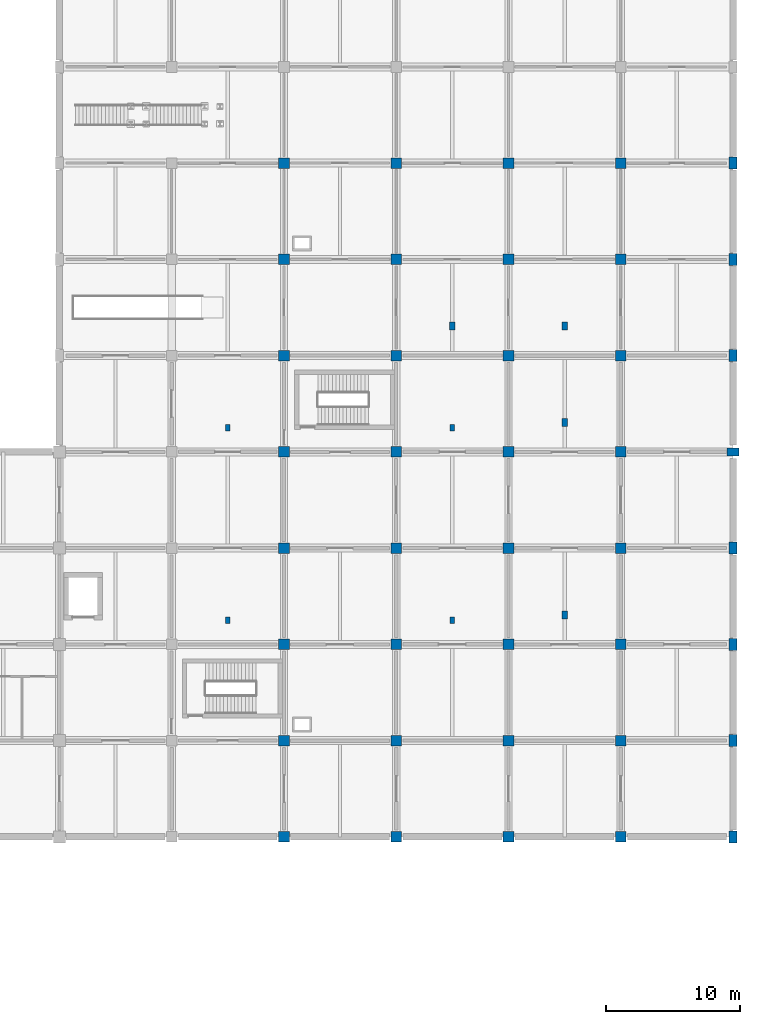
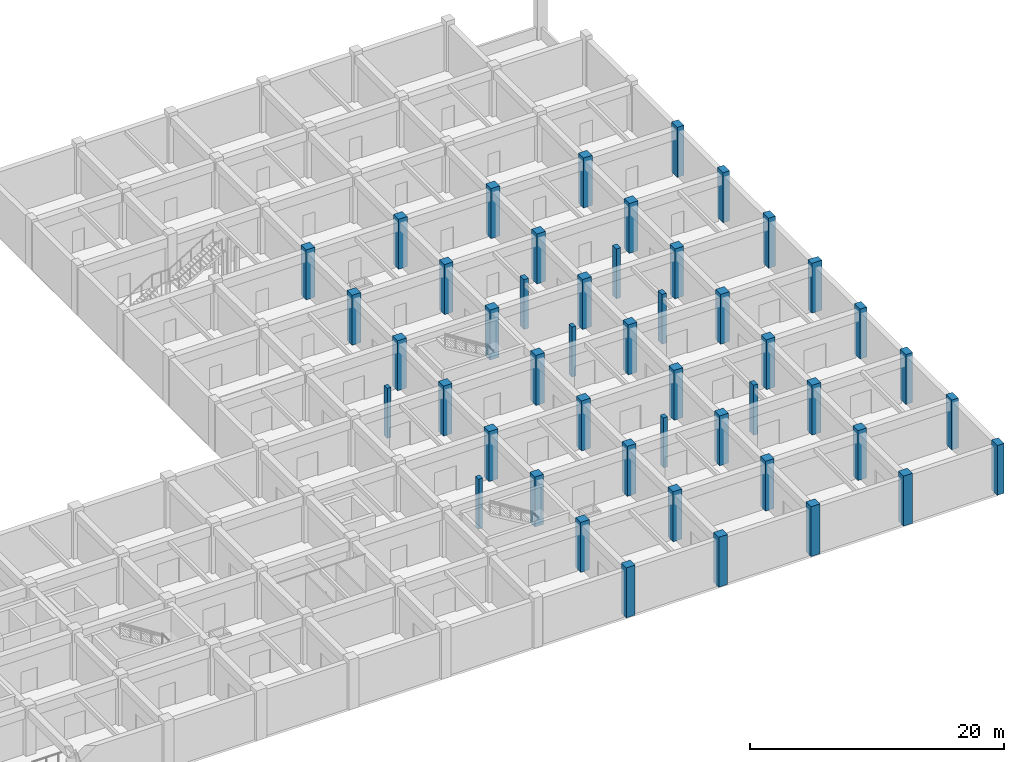
# One storey, part 5 of 32: 48 columns.
"""IFC4 building model written with IfcOpenShell, lengths in metres."""

from ifc_helpers import new_model, si_unit, derived_unit, direction, frame, origin, origin_2d, place, context, subcontext, project, spatial, rectangle, extrude, material, material_profile, profile_set, type_object, element, save


model = new_model("IFC4")

# Units and contexts
model_context = context("Model", 3, precision=1e-05, world=origin(), true_north=direction((0.0, 1.0)))
body_context = subcontext(model_context, "Body", "Model", "MODEL_VIEW")
ifc_project = project(units=[si_unit("LENGTHUNIT", "METRE"), si_unit("AREAUNIT", "SQUARE_METRE"), si_unit("VOLUMEUNIT", "CUBIC_METRE"), si_unit("PLANEANGLEUNIT", "RADIAN"), si_unit("MASSUNIT", "GRAM", prefix="KILO"), derived_unit("THERMALTRANSMITTANCEUNIT", [(si_unit("MASSUNIT", "GRAM", prefix="KILO"), 1), (si_unit("TIMEUNIT", "SECOND"), -3), (si_unit("THERMODYNAMICTEMPERATUREUNIT", "KELVIN"), -1)])], contexts=[model_context])

# Site, building, storey
site_placement = place(None, origin())
site = spatial("IfcSite", under=ifc_project, at=site_placement, CompositionType="ELEMENT")
building_placement = place(site_placement, origin())
building = spatial("IfcBuilding", under=site, at=building_placement, Name="Veldstrom Oceanarium and Marine Research Institute", CompositionType="ELEMENT")
storey_placement = place(building_placement, frame((0.0, 0.0, -4.800048828125)))
storey = spatial("IfcBuildingStorey", under=building, at=storey_placement, Name="B01", CompositionType="ELEMENT", Elevation=-4.800048828125)

# Columns
ifc_material_1 = material(Name="Concrete C50/60", Category="concrete")
ifc_material_profile_1 = material_profile(ifc_material_1, rectangle(XDim=0.800048828125, YDim=0.800048828125, at=origin_2d()), Name="RC-COL-800x800")
ifc_profile_set_1 = profile_set([ifc_material_profile_1], Name="Concrete C50/60")
column_type_1 = type_object("IfcColumnType", Name="STR-COL-C04", PredefinedType="COLUMN", material=ifc_profile_set_1)
for number, where, z_axis, x_axis, name in (
    (1, (134.39990234375, 43.199951171875, 0.0), (0.0, 0.0, 1.0), (1.0, 0.0, 0.0), "Column C04 17/G B01"),
    (2, (134.39990234375, 50.39990234375, 0.0), (0.0, 0.0, 1.0), (1.0, 0.0, 0.0), "Column C04 17/H B01"),
    (3, (134.39990234375, 57.60009765625, 0.0), (0.0, 0.0, 1.0), (1.0, 0.0, 0.0), "Column C04 17/J B01"),
    (4, (134.39990234375, 64.800048828125, 0.0), (0.0, 0.0, 1.0), (1.0, 0.0, 0.0), "Column C04 17/K B01"),
    (5, (134.39990234375, 72.0, 0.0), (0.0, 0.0, 1.0), (1.0, 0.0, 0.0), "Column C04 17/L B01"),
    (6, (134.39990234375, 79.199951171875, 0.0), (0.0, 0.0, 1.0), (1.0, 0.0, 0.0), "Column C04 17/M B01"),
    (7, (134.39990234375, 86.39990234375, 0.0), (0.0, 0.0, 1.0), (1.0, 0.0, 0.0), "Column C04 17/N B01"),
    (8, (134.39990234375, 93.60009765625, 0.0), (0.0, 0.0, 1.0), (1.0, 0.0, 0.0), "Column C04 17/P B01"),
    (9, (142.800048828125, 43.199951171875, 0.0), (0.0, 0.0, 1.0), (1.0, 0.0, 0.0), "Column C04 18/G B01"),
    (10, (142.800048828125, 50.39990234375, 0.0), (0.0, 0.0, 1.0), (1.0, 0.0, 0.0), "Column C04 18/H B01"),
    (11, (142.800048828125, 57.60009765625, 0.0), (0.0, 0.0, 1.0), (1.0, 0.0, 0.0), "Column C04 18/J B01"),
    (12, (142.800048828125, 64.800048828125, 0.0), (0.0, 0.0, 1.0), (1.0, 0.0, 0.0), "Column C04 18/K B01"),
    (13, (142.800048828125, 72.0, 0.0), (0.0, 0.0, 1.0), (1.0, 0.0, 0.0), "Column C04 18/L B01"),
    (14, (142.800048828125, 79.199951171875, 0.0), (0.0, 0.0, 1.0), (1.0, 0.0, 0.0), "Column C04 18/M B01"),
    (15, (142.800048828125, 86.39990234375, 0.0), (0.0, 0.0, 1.0), (1.0, 0.0, 0.0), "Column C04 18/N B01"),
    (16, (142.800048828125, 93.60009765625, 0.0), (0.0, 0.0, 1.0), (1.0, 0.0, 0.0), "Column C04 18/P B01"),
    (17, (151.199951171875, 43.199951171875, 0.0), (0.0, 0.0, 1.0), (1.0, 0.0, 0.0), "Column C04 19/G B01"),
    (18, (151.199951171875, 50.39990234375, 0.0), (0.0, 0.0, 1.0), (1.0, 0.0, 0.0), "Column C04 19/H B01"),
    (19, (151.199951171875, 57.60009765625, 0.0), (0.0, 0.0, 1.0), (1.0, 0.0, 0.0), "Column C04 19/J B01"),
    (20, (151.199951171875, 64.800048828125, 0.0), (0.0, 0.0, 1.0), (1.0, 0.0, 0.0), "Column C04 19/K B01"),
    (21, (151.199951171875, 72.0, 0.0), (0.0, 0.0, 1.0), (1.0, 0.0, 0.0), "Column C04 19/L B01"),
    (22, (151.199951171875, 79.199951171875, 0.0), (0.0, 0.0, 1.0), (1.0, 0.0, 0.0), "Column C04 19/M B01"),
    (23, (151.199951171875, 86.39990234375, 0.0), (0.0, 0.0, 1.0), (1.0, 0.0, 0.0), "Column C04 19/N B01"),
    (24, (151.199951171875, 93.60009765625, 0.0), (0.0, 0.0, 1.0), (1.0, 0.0, 0.0), "Column C04 19/P B01"),
    (25, (159.60009765625, 43.199951171875, 0.0), (0.0, 0.0, 1.0), (1.0, 0.0, 0.0), "Column C04 20/G B01"),
    (26, (159.60009765625, 50.39990234375, 0.0), (0.0, 0.0, 1.0), (1.0, 0.0, 0.0), "Column C04 20/H B01"),
    (27, (159.60009765625, 57.60009765625, 0.0), (0.0, 0.0, 1.0), (1.0, 0.0, 0.0), "Column C04 20/J B01"),
    (28, (159.60009765625, 64.800048828125, 0.0), (0.0, 0.0, 1.0), (1.0, 0.0, 0.0), "Column C04 20/K B01"),
    (29, (159.60009765625, 72.0, 0.0), (0.0, 0.0, 1.0), (1.0, 0.0, 0.0), "Column C04 20/L B01"),
    (30, (159.60009765625, 79.199951171875, 0.0), (0.0, 0.0, 1.0), (1.0, 0.0, 0.0), "Column C04 20/M B01"),
    (31, (159.60009765625, 86.39990234375, 0.0), (0.0, 0.0, 1.0), (1.0, 0.0, 0.0), "Column C04 20/N B01"),
    (32, (159.60009765625, 93.60009765625, 0.0), (0.0, 0.0, 1.0), (1.0, 0.0, 0.0), "Column C04 20/P B01"),
):
    element("IfcColumn", number, at=place(storey_placement, frame(where, z_axis=z_axis, x_axis=x_axis)), inside=storey, type_object=column_type_1, Name=name, PredefinedType="COLUMN", context=body_context, shape_type="SweptSolid", body=[
        extrude(rectangle(XDim=0.800048828125, YDim=0.800048828125, at=origin_2d()), origin(), (0.0, 0.0, 1.0), 4.800048828125),
    ])
ifc_material_2 = material(Name="Concrete C50/60", Category="concrete")
ifc_material_profile_2 = material_profile(ifc_material_2, rectangle(XDim=0.60009765625, YDim=0.89990234375, at=origin_2d()), Name="RC-COL-900x600")
ifc_profile_set_2 = profile_set([ifc_material_profile_2], Name="Concrete C50/60")
column_type_2 = type_object("IfcColumnType", Name="STR-COL-C11", PredefinedType="COLUMN", material=ifc_profile_set_2)
for number, where, z_axis, x_axis, name in (
    (33, (168.0, 43.199951171875, 0.0), (0.0, 0.0, 1.0), (1.0, 0.0, 0.0), "Column C11 21/G B01"),
    (34, (168.0, 50.39990234375, 0.0), (0.0, 0.0, 1.0), (1.0, 0.0, 0.0), "Column C11 21/H B01"),
    (35, (168.0, 57.60009765625, 0.0), (0.0, 0.0, 1.0), (1.0, 0.0, 0.0), "Column C11 21/J B01"),
    (36, (168.0, 64.800048828125, 0.0), (0.0, 0.0, 1.0), (1.0, 0.0, 0.0), "Column C11 21/K B01"),
    (37, (168.0, 72.0, 0.0), (0.0, 0.0, 1.0), (0.0, 1.0, 0.0), "Column C11 21/L B01"),
    (38, (168.0, 79.199951171875, 0.0), (0.0, 0.0, 1.0), (1.0, 0.0, 0.0), "Column C11 21/M B01"),
    (39, (168.0, 86.39990234375, 0.0), (0.0, 0.0, 1.0), (1.0, 0.0, 0.0), "Column C11 21/N B01"),
    (40, (168.0, 93.60009765625, 0.0), (0.0, 0.0, 1.0), (1.0, 0.0, 0.0), "Column C11 21/P B01"),
):
    element("IfcColumn", number, at=place(storey_placement, frame(where, z_axis=z_axis, x_axis=x_axis)), inside=storey, type_object=column_type_2, Name=name, PredefinedType="COLUMN", context=body_context, shape_type="SweptSolid", body=[
        extrude(rectangle(XDim=0.60009765625, YDim=0.89990234375, at=origin_2d()), origin(), (0.0, 0.0, 1.0), 4.800048828125),
    ])
ifc_material_3 = material(Name="Concrete C50/60", Category="concrete")
ifc_material_profile_3 = material_profile(ifc_material_3, rectangle(XDim=0.39990234375, YDim=0.60009765625, at=origin_2d()), Name="RC-PIL-600x400")
ifc_profile_set_3 = profile_set([ifc_material_profile_3], Name="Concrete C50/60")
column_type_3 = type_object("IfcColumnType", Name="STR-PIL-PL1", PredefinedType="PILASTER", material=ifc_profile_set_3)
for number, where, z_axis, x_axis, name in (
    (41, (155.39990234375, 81.39990234375, 0.0), (0.0, 0.0, 1.0), (1.0, 0.0, 0.0), "Colonnade Pilaster 01 B01"),
    (42, (147.0, 81.39990234375, 0.0), (0.0, 0.0, 1.0), (1.0, 0.0, 0.0), "Colonnade Pilaster 02 B01"),
    (43, (155.39990234375, 59.800048828125, 0.0), (0.0, 0.0, 1.0), (1.0, 0.0, 0.0), "Colonnade Pilaster 03 B01"),
    (44, (155.39990234375, 74.199951171875, 0.0), (0.0, 0.0, 1.0), (1.0, 0.0, 0.0), "Colonnade Pilaster 04 B01"),
):
    element("IfcColumn", number, at=place(storey_placement, frame(where, z_axis=z_axis, x_axis=x_axis)), inside=storey, type_object=column_type_3, Name=name, PredefinedType="PILASTER", context=body_context, shape_type="SweptSolid", body=[
        extrude(rectangle(XDim=0.39990234375, YDim=0.60009765625, at=origin_2d()), origin(), (0.0, 0.0, 1.0), 4.800048828125),
    ])
ifc_material_4 = material(Name="Concrete C50/60", Category="concrete")
ifc_material_profile_4 = material_profile(ifc_material_4, rectangle(XDim=0.35009765625, YDim=0.5, at=origin_2d()), Name="RC-PIL-500x350")
ifc_profile_set_4 = profile_set([ifc_material_profile_4], Name="Concrete C50/60")
column_type_4 = type_object("IfcColumnType", Name="STR-PIL-PL2", PredefinedType="PILASTER", material=ifc_profile_set_4)
for number, where, z_axis, x_axis, name in (
    (45, (130.199951171875, 59.39990234375, 0.0), (0.0, 0.0, 1.0), (1.0, 0.0, 0.0), "Colonnade Pilaster 05 B01"),
    (46, (147.0, 59.39990234375, 0.0), (0.0, 0.0, 1.0), (1.0, 0.0, 0.0), "Colonnade Pilaster 06 B01"),
    (47, (130.199951171875, 73.800048828125, 0.0), (0.0, 0.0, 1.0), (1.0, 0.0, 0.0), "Colonnade Pilaster 07 B01"),
    (48, (147.0, 73.800048828125, 0.0), (0.0, 0.0, 1.0), (1.0, 0.0, 0.0), "Colonnade Pilaster 08 B01"),
):
    element("IfcColumn", number, at=place(storey_placement, frame(where, z_axis=z_axis, x_axis=x_axis)), inside=storey, type_object=column_type_4, Name=name, PredefinedType="PILASTER", context=body_context, shape_type="SweptSolid", body=[
        extrude(rectangle(XDim=0.35009765625, YDim=0.5, at=origin_2d()), origin(), (0.0, 0.0, 1.0), 4.800048828125),
    ])

save(model, "model.ifc")
